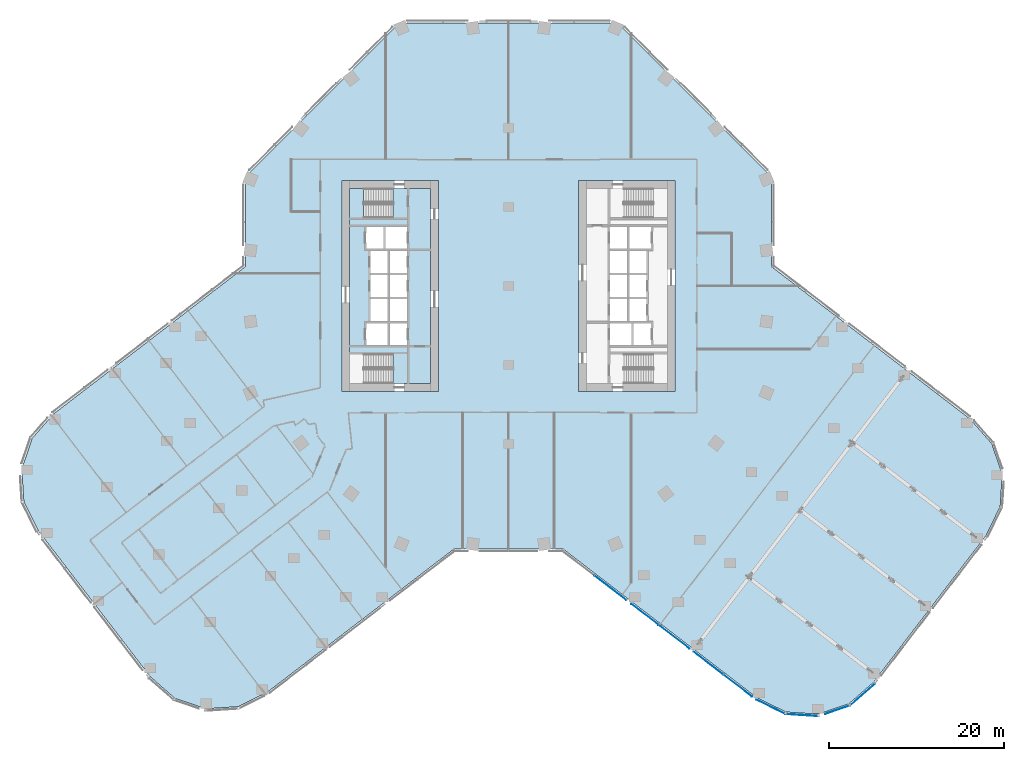
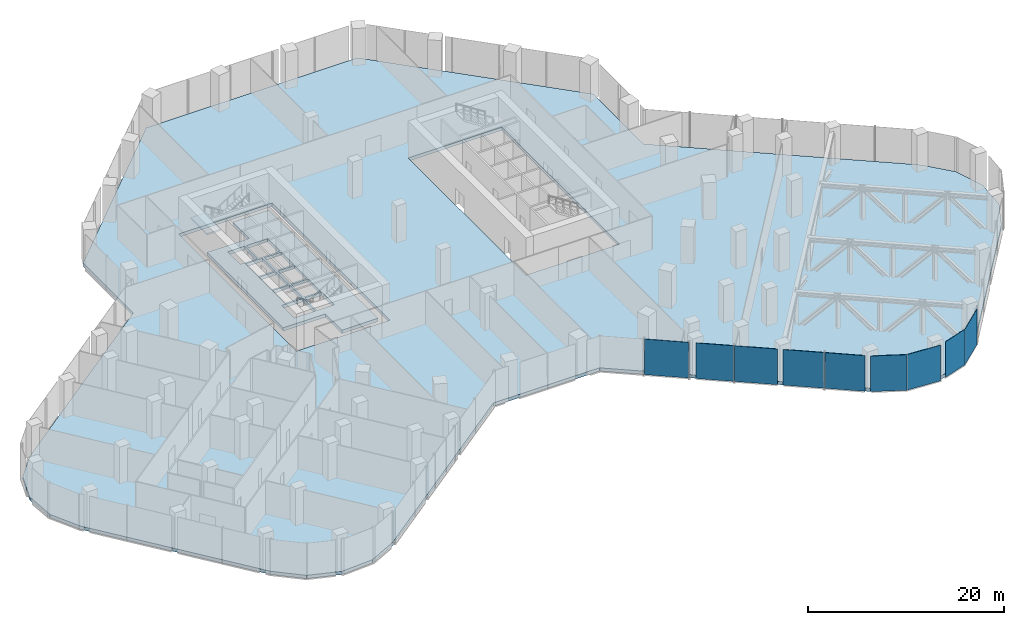
# One storey, part 18 of 30: 9 plates, 3 slabs, 6 elements without a shape of their own.
"""IFC4 building model written with IfcOpenShell, lengths in metres."""

from ifc_helpers import new_model, si_unit, direction, frame, origin, origin_2d, place, context, subcontext, project, spatial, polyline, rectangle, outline, extrude, material, layer, layer_set, type_object, element, aggregate, save


model = new_model("IFC4")

# Units and contexts
model_context = context("Model", 3, precision=1e-05, world=origin(), true_north=direction((0.0, 1.0)))
body_context = subcontext(model_context, "Body", "Model", "MODEL_VIEW")
ifc_project = project(units=[si_unit("LENGTHUNIT", "METRE"), si_unit("AREAUNIT", "SQUARE_METRE"), si_unit("VOLUMEUNIT", "CUBIC_METRE"), si_unit("PLANEANGLEUNIT", "RADIAN"), si_unit("MASSUNIT", "GRAM", prefix="KILO")], contexts=[model_context])

# Site, building, storey
site_placement = place(None, origin())
site = spatial("IfcSite", under=ifc_project, at=site_placement, CompositionType="ELEMENT")
building_placement = place(site_placement, origin())
building = spatial("IfcBuilding", under=site, at=building_placement, Name="Orlundy Tower", CompositionType="ELEMENT")
storey_placement = place(building_placement, frame((0.0, 0.0, 20.5)))
storey = spatial("IfcBuildingStorey", under=building, at=storey_placement, Name="L03", CompositionType="ELEMENT", Elevation=20.5)

# Curtain wall, plates
ifc_material_1 = material(Name="Aluminium bronze anodised", Category="aluminium")
curtain_wall_type = type_object("IfcCurtainWallType", Name="CW2 wall", PredefinedType="NOTDEFINED", material=ifc_material_1)
curtain_wall_1_placement = place(storey_placement, origin())
curtain_wall_1 = element("IfcCurtainWall", 1, at=curtain_wall_1_placement, inside=storey, type_object=curtain_wall_type, Name="CW2 run 00", PredefinedType="NOTDEFINED")
ifc_material_2 = material(Name="Tinted glass", Category="glass")
ifc_layer_1 = layer(ifc_material_2, 0.0380859375)
ifc_layer_set_1 = layer_set([ifc_layer_1], Name="CW2 glass panel 38")
plate_type_1 = type_object("IfcPlateType", Name="CW2 glass panel 38", PredefinedType="CURTAIN_PANEL", material=ifc_layer_set_1)
plate_1_placement = place(storey_placement, frame((26.11962890625, -45.54296875, -0.25), z_axis=(0.0, 0.0, 1.0), x_axis=(-0.793356622022, 0.60875715215, 0.0)))
plate_1 = element("IfcPlate", 2, at=plate_1_placement, type_object=plate_type_1, Name="CW2 panel", PredefinedType="CURTAIN_PANEL", context=body_context, shape_type="SweptSolid", body=[
    extrude(rectangle(XDim=4.10498046875, YDim=0.0380859375, at=origin_2d()), origin(), (0.0, 0.0, 1.0), 4.429931640625),
])
plate_2_placement = place(storey_placement, frame((15.54345703125, -37.427490234375, -0.25), z_axis=(0.0, 0.0, 1.0), x_axis=(-0.793356622022, 0.60875715215, 0.0)))
plate_2 = element("IfcPlate", 3, at=plate_2_placement, type_object=plate_type_1, Name="CW2 panel", PredefinedType="CURTAIN_PANEL", context=body_context, shape_type="SweptSolid", body=[
    extrude(rectangle(XDim=3.934326171875, YDim=0.0380859375, at=origin_2d()), origin(), (0.0, 0.0, 1.0), 4.429931640625),
])
plate_3_placement = place(storey_placement, frame((11.613037109375, -34.411865234375, -0.25), z_axis=(0.0, 0.0, 1.0), x_axis=(-0.793356622022, 0.60875715215, 0.0)))
plate_3 = element("IfcPlate", 4, at=plate_3_placement, type_object=plate_type_1, Name="CW2 panel", PredefinedType="CURTAIN_PANEL", context=body_context, shape_type="SweptSolid", body=[
    extrude(rectangle(XDim=4.580810546875, YDim=0.0380859375, at=origin_2d()), origin(), (0.0, 0.0, 1.0), 4.429931640625),
])

# Curtain wall, plate
curtain_wall_2_placement = place(storey_placement, origin())
curtain_wall_2 = element("IfcCurtainWall", 5, at=curtain_wall_2_placement, inside=storey, type_object=curtain_wall_type, Name="CW2 run 024", PredefinedType="NOTDEFINED")
plate_4_placement = place(storey_placement, frame((40.3466796875, -46.571533203125, -0.25), z_axis=(0.0, 0.0, 1.0), x_axis=(-0.751857647447, -0.65932547196, 0.0)))
plate_4 = element("IfcPlate", 6, at=plate_4_placement, type_object=plate_type_1, Name="CW2 panel", PredefinedType="CURTAIN_PANEL", context=body_context, shape_type="SweptSolid", body=[
    extrude(rectangle(XDim=3.75048828125, YDim=0.0380859375, at=origin_2d()), origin(), (0.0, 0.0, 1.0), 4.429931640625),
])
aggregate(curtain_wall_2, [plate_4])

curtain_wall_3_placement = place(storey_placement, origin())
curtain_wall_3 = element("IfcCurtainWall", 7, at=curtain_wall_3_placement, inside=storey, type_object=curtain_wall_type, Name="CW2 run 025", PredefinedType="NOTDEFINED")
plate_5_placement = place(storey_placement, frame((37.5087890625, -48.29296875, -0.25), z_axis=(0.0, 0.0, 1.0), x_axis=(-0.946887788144, -0.321564171921, 0.0)))
plate_5 = element("IfcPlate", 8, at=plate_5_placement, type_object=plate_type_1, Name="CW2 panel", PredefinedType="CURTAIN_PANEL", context=body_context, shape_type="SweptSolid", body=[
    extrude(rectangle(XDim=3.015869140625, YDim=0.0380859375, at=origin_2d()), origin(), (0.0, 0.0, 1.0), 4.429931640625),
])
aggregate(curtain_wall_3, [plate_5])

curtain_wall_4_placement = place(storey_placement, origin())
curtain_wall_4 = element("IfcCurtainWall", 9, at=curtain_wall_4_placement, inside=storey, type_object=curtain_wall_type, Name="CW2 run 026", PredefinedType="NOTDEFINED")
plate_6_placement = place(storey_placement, frame((33.4443359375, -48.905029296875, -0.25), z_axis=(0.0, 0.0, 1.0), x_axis=(-0.9978491458, 0.065552133657, 0.0)))
plate_6 = element("IfcPlate", 10, at=plate_6_placement, type_object=plate_type_1, Name="CW2 panel", PredefinedType="CURTAIN_PANEL", context=body_context, shape_type="SweptSolid", body=[
    extrude(rectangle(XDim=3.798828125, YDim=0.0380859375, at=origin_2d()), origin(), (0.0, 0.0, 1.0), 4.429931640625),
])
aggregate(curtain_wall_4, [plate_6])

curtain_wall_5_placement = place(storey_placement, origin())
curtain_wall_5 = element("IfcCurtainWall", 11, at=curtain_wall_5_placement, inside=storey, type_object=curtain_wall_type, Name="CW2 run 027", PredefinedType="NOTDEFINED")
plate_7_placement = place(storey_placement, frame((29.892578125, -47.9638671875, -0.25), z_axis=(0.0, 0.0, 1.0), x_axis=(-0.896895794801, 0.442241939743, 0.0)))
plate_7 = element("IfcPlate", 12, at=plate_7_placement, type_object=plate_type_1, Name="CW2 panel", PredefinedType="CURTAIN_PANEL", context=body_context, shape_type="SweptSolid", body=[
    extrude(rectangle(XDim=3.693603515625, YDim=0.0380859375, at=origin_2d()), origin(), (0.0, 0.0, 1.0), 4.429931640625),
])
aggregate(curtain_wall_5, [plate_7])

# Plate
ifc_material_3 = material(Name="Bronze aluminium spandrel", Category="aluminium")
ifc_layer_2 = layer(ifc_material_3, 0.0380859375)
ifc_layer_set_2 = layer_set([ifc_layer_2], Name="CW2 spandrel panel 38")
plate_type_2 = type_object("IfcPlateType", Name="CW2 spandrel panel 38", PredefinedType="CURTAIN_PANEL", material=ifc_layer_set_2)
plate_8_placement = place(storey_placement, frame((22.7744140625, -42.97607421875, -0.25), z_axis=(0.0, 0.0, 1.0), x_axis=(-0.793356622022, 0.60875715215, 0.0)))
plate_8 = element("IfcPlate", 13, at=plate_8_placement, type_object=plate_type_2, Name="CW2 panel", PredefinedType="CURTAIN_PANEL", context=body_context, shape_type="SweptSolid", body=[
    extrude(rectangle(XDim=4.228271484375, YDim=0.0380859375, at=origin_2d()), origin(), (0.0, 0.0, 1.0), 4.429931640625),
])

plate_9_placement = place(storey_placement, frame((18.888916015625, -39.99462890625, -0.25), z_axis=(0.0, 0.0, 1.0), x_axis=(-0.793356622022, 0.60875715215, 0.0)))
plate_9 = element("IfcPlate", 14, at=plate_9_placement, type_object=plate_type_2, Name="CW2 panel", PredefinedType="CURTAIN_PANEL", context=body_context, shape_type="SweptSolid", body=[
    extrude(rectangle(XDim=4.3994140625, YDim=0.0380859375, at=origin_2d()), origin(), (0.0, 0.0, 1.0), 4.429931640625),
])

aggregate(curtain_wall_1, [plate_1, plate_8, plate_9, plate_2, plate_3])

# Slab
ifc_material_4 = material(Name="Concrete C50/60", Category="concrete")
ifc_layer_3 = layer(ifc_material_4, 0.409912109375)
ifc_layer_set_3 = layer_set([ifc_layer_3], Name="Core Floor Slab 410")
slab_type_1 = type_object("IfcSlabType", Name="Core Floor Slab 410", PredefinedType="FLOOR", material=ifc_layer_set_3)
slab_1_placement = place(storey_placement, frame((0.0, 0.0, -0.409912109375)))
element("IfcSlab", 15, at=slab_1_placement, inside=storey, type_object=slab_type_1, Name="Core floor W04", PredefinedType="FLOOR", context=body_context, shape_type="SweptSolid", body=[
    extrude(outline(polyline([(-8.89990234375, -11.10009765625), (-13.14501953125, -11.10009765625), (-13.14501953125, -7.75), (-18.10009765625, -7.75), (-18.10009765625, 7.75), (-13.14501953125, 7.75), (-13.14501953125, 11.10009765625), (-8.89990234375, 11.10009765625), (-8.89990234375, -11.10009765625)]), holes=[polyline([(-11.5400390625, -6.77490234375), (-11.5400390625, -4.22509765625), (-13.5400390625, -4.22509765625), (-13.5400390625, -6.77490234375), (-11.5400390625, -6.77490234375)]), polyline([(-16.239990234375, -6.77490234375), (-13.739990234375, -6.77490234375), (-13.739990234375, -4.22509765625), (-16.239990234375, -4.22509765625), (-16.239990234375, -6.77490234375)]), polyline([(-13.5400390625, -1.47509765625), (-13.5400390625, -4.02490234375), (-11.5400390625, -4.02490234375), (-11.5400390625, -1.47509765625), (-13.5400390625, -1.47509765625)]), polyline([(-13.739990234375, -1.47509765625), (-15.739990234375, -1.47509765625), (-15.739990234375, -4.02490234375), (-13.739990234375, -4.02490234375), (-13.739990234375, -1.47509765625)]), polyline([(-11.5400390625, -1.27490234375), (-11.5400390625, 1.27490234375), (-13.5400390625, 1.27490234375), (-13.5400390625, -1.27490234375), (-11.5400390625, -1.27490234375)]), polyline([(-15.739990234375, -1.27490234375), (-13.739990234375, -1.27490234375), (-13.739990234375, 1.27490234375), (-15.739990234375, 1.27490234375), (-15.739990234375, -1.27490234375)]), polyline([(-13.5400390625, 4.02490234375), (-13.5400390625, 1.47509765625), (-11.5400390625, 1.47509765625), (-11.5400390625, 4.02490234375), (-13.5400390625, 4.02490234375)]), polyline([(-13.739990234375, 4.02490234375), (-15.739990234375, 4.02490234375), (-15.739990234375, 1.47509765625), (-13.739990234375, 1.47509765625), (-13.739990234375, 4.02490234375)]), polyline([(-11.5400390625, 4.22509765625), (-11.5400390625, 6.77490234375), (-14.0400390625, 6.77490234375), (-14.0400390625, 4.22509765625), (-11.5400390625, 4.22509765625)]), polyline([(-16.239990234375, 4.22509765625), (-14.239990234375, 4.22509765625), (-14.239990234375, 6.77490234375), (-16.239990234375, 6.77490234375), (-16.239990234375, 4.22509765625)])]), origin(), (0.0, 0.0, 1.0), 0.409912109375),
])

# Stair, slab
ifc_material_5 = material(Name="Concrete C50/60", Category="concrete")
stair_type = type_object("IfcStairType", Name="Exit Stair 26 risers", PredefinedType="HALF_TURN_STAIR", material=ifc_material_5)
stair_placement = place(storey_placement, origin())
stair = element("IfcStair", 16, at=stair_placement, inside=storey, type_object=stair_type, Name="L03 Exit Stair ST-W1", PredefinedType="HALF_TURN_STAIR")
ifc_material_6 = material(Name="Concrete C50/60", Category="concrete")
ifc_layer_4 = layer(ifc_material_6, 0.199951171875)
ifc_layer_set_4 = layer_set([ifc_layer_4], Name="Exit Stair Landing")
slab_type_2 = type_object("IfcSlabType", Name="Exit Stair Landing", PredefinedType="LANDING", material=ifc_layer_set_4)
slab_2_placement = place(storey_placement, frame((0.0, 0.0, 2.10009765625)))
slab_2 = element("IfcSlab", 17, at=slab_2_placement, type_object=slab_type_2, Name="ST-W1 landing 1", PredefinedType="LANDING", context=body_context, shape_type="SweptSolid", body=[
    extrude(outline(polyline([(-16.5, 11.10009765625), (-18.10009765625, 11.10009765625), (-18.10009765625, 7.75), (-16.5, 7.75), (-16.5, 11.10009765625)])), origin(), (0.0, 0.0, 1.0), 0.199951171875),
])
aggregate(stair, [slab_2])

# Slab
ifc_material_7 = material(Name="Concrete C45/55", Category="concrete")
ifc_layer_5 = layer(ifc_material_7, 0.39990234375)
ifc_layer_set_5 = layer_set([ifc_layer_5], Name="PODIUM FLOOR SLAB THICK 400 C45/55")
slab_type_3 = type_object("IfcSlabType", Name="PODIUM FLOOR SLAB THICK 400 C45/55", PredefinedType="FLOOR", material=ifc_layer_set_5)
slab_3_placement = place(storey_placement, frame((0.0, 0.0, -0.39990234375)))
element("IfcSlab", 18, at=slab_3_placement, inside=storey, type_object=slab_type_3, Name="Floor slab L03", PredefinedType="FLOOR", context=body_context, shape_type="SweptSolid", body=[
    extrude(outline(polyline([(6.242919921875, -30.0), (-6.242919921875, -30.0), (-27.491943359375, -46.304931640625), (-30.81689453125, -47.945068359375), (-34.51611328125, -48.18701171875), (-38.02587890625, -46.99609375), (-40.81298828125, -44.552001953125), (-53.596923828125, -27.89111328125), (-55.236083984375, -24.56689453125), (-55.47802734375, -20.867919921875), (-54.287109375, -17.35791015625), (-51.843017578125, -14.571044921875), (-30.0, 2.18994140625), (-30.0, 12.426025390625), (-12.426025390625, 30.0), (12.426025390625, 30.0), (30.0, 12.426025390625), (30.0, 2.18994140625), (52.635986328125, -15.179931640625), (55.080078125, -17.967041015625), (56.27197265625, -21.47705078125), (56.029052734375, -25.175048828125), (54.389892578125, -28.5), (41.60595703125, -45.159912109375), (38.819091796875, -47.60400390625), (35.30908203125, -48.7958984375), (31.610107421875, -48.552978515625), (28.285888671875, -46.9140625), (6.242919921875, -30.0)]), holes=[polyline([(-8.0, -12.0), (-8.0, 12.0), (-19.0, 12.0), (-19.0, -12.0), (-8.0, -12.0)]), polyline([(19.0, -12.0), (19.0, 12.0), (8.0, 12.0), (8.0, -12.0), (19.0, -12.0)])]), origin(), (0.0, 0.0, 1.0), 0.39990234375),
])

save(model, "model.ifc")
